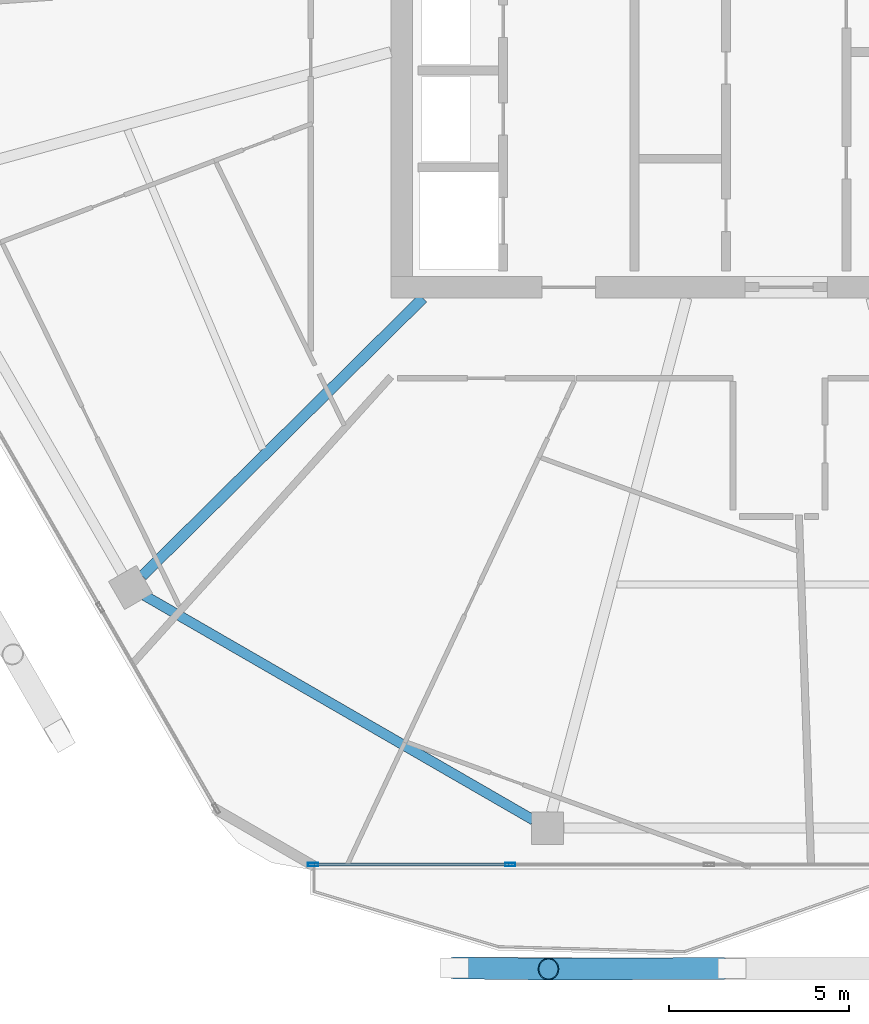
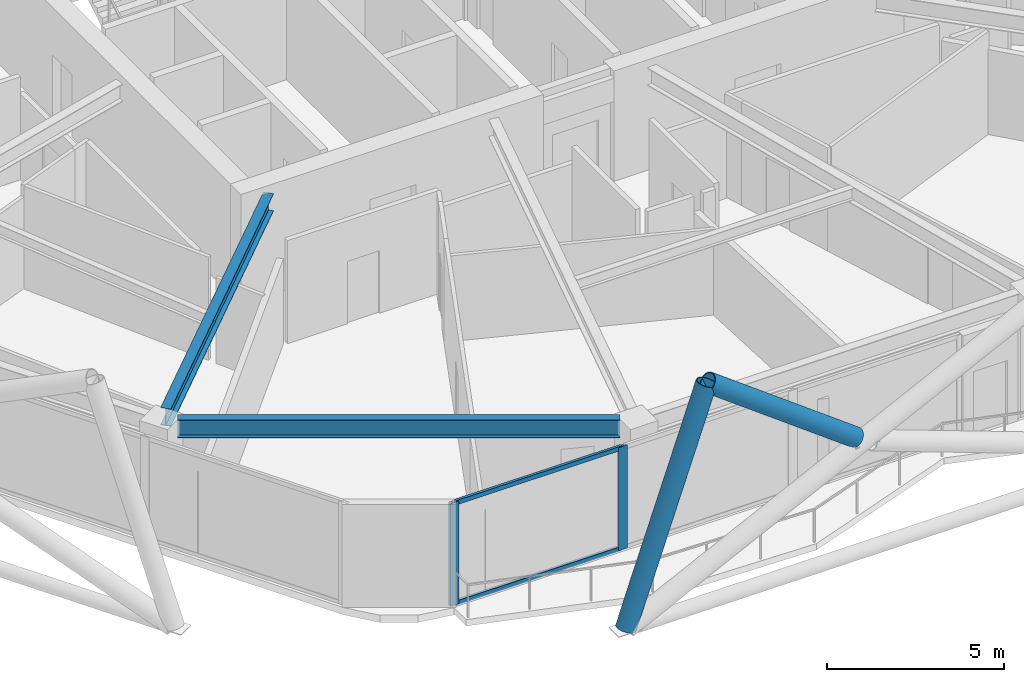
# One storey, part 3 of 26: 6 members, 2 beams, 1 element without a shape of its own.
"""IFC4 building model written with IfcOpenShell, lengths in metres."""

from ifc_helpers import new_model, si_unit, direction, frame, origin, origin_2d, place, context, subcontext, project, spatial, hollow_rectangle, hollow_circle, i_section, extrude, material, material_profile, profile_set, type_object, element, aggregate, save


model = new_model("IFC4")

# Units and contexts
model_context = context("Model", 3, precision=1e-05, world=origin(), true_north=direction((0.0, 1.0)))
body_context = subcontext(model_context, "Body", "Model", "MODEL_VIEW")
ifc_project = project(units=[si_unit("LENGTHUNIT", "METRE"), si_unit("AREAUNIT", "SQUARE_METRE"), si_unit("VOLUMEUNIT", "CUBIC_METRE"), si_unit("PLANEANGLEUNIT", "RADIAN"), si_unit("MASSUNIT", "GRAM", prefix="KILO")], contexts=[model_context])

# Site, building, storey
site_placement = place(None, origin())
site = spatial("IfcSite", under=ifc_project, at=site_placement, CompositionType="ELEMENT")
building_placement = place(site_placement, origin())
building = spatial("IfcBuilding", under=site, at=building_placement, Name="Zuhravey Tower", CompositionType="ELEMENT")
storey_placement = place(building_placement, frame((0.0, 0.0, 231.199951171875)))
storey = spatial("IfcBuildingStorey", under=building, at=storey_placement, Name="L58", CompositionType="ELEMENT", Elevation=231.199951171875)

# Curtain wall, members
ifc_material_1 = material(Name="Thermally broken anodised aluminium", Category="aluminium")
curtain_wall_type = type_object("IfcCurtainWallType", Name="Zone 3-4 High-Rise Curtain Wall CW4", PredefinedType="NOTDEFINED", material=ifc_material_1)
curtain_wall_placement = place(storey_placement, origin())
curtain_wall = element("IfcCurtainWall", 1, at=curtain_wall_placement, inside=storey, type_object=curtain_wall_type, Name="L58 CW4 CW-L58-F5-2", PredefinedType="NOTDEFINED")
ifc_material_2 = material(Name="Anodised aluminium", Category="aluminium")
ifc_material_profile_1 = material_profile(ifc_material_2, hollow_rectangle(XDim=0.090087890625, YDim=0.284912109375, WallThickness=0.0048828125, at=origin_2d()), Name="ALU-RHS-90x285x5")
ifc_profile_set_1 = profile_set([ifc_material_profile_1], Name="Anodised aluminium")
member_type_1 = type_object("IfcMemberType", Name="Curtain-Wall Mullion 90x180", PredefinedType="MULLION", material=ifc_profile_set_1)
member_1_placement = place(storey_placement, frame((28.521728515625, 6.436279296875, 0.0), z_axis=(0.0, 0.0, 1.0), x_axis=(0.0, -1.0, 0.0)))
member_1 = element("IfcMember", 2, at=member_1_placement, type_object=member_type_1, Name="CW4 mullion 3", PredefinedType="MULLION", context=body_context, shape_type="SweptSolid", body=[
    extrude(hollow_rectangle(XDim=0.090087890625, YDim=0.284912109375, WallThickness=0.0048828125, at=origin_2d()), origin(), (0.0, 0.0, 1.0), 3.550048828125),
])
member_2_placement = place(storey_placement, frame((23.0322265625, 6.436279296875, 0.0), z_axis=(0.0, 0.0, 1.0), x_axis=(0.0, -1.0, 0.0)))
member_2 = element("IfcMember", 3, at=member_2_placement, type_object=member_type_1, Name="CW4 mullion 4", PredefinedType="MULLION", context=body_context, shape_type="SweptSolid", body=[
    extrude(hollow_rectangle(XDim=0.090087890625, YDim=0.284912109375, WallThickness=0.0048828125, at=origin_2d()), origin(), (0.0, 0.0, 1.0), 3.550048828125),
])
ifc_material_profile_2 = material_profile(ifc_material_2, hollow_rectangle(XDim=0.090087890625, YDim=0.14990234375, WallThickness=0.0048828125, at=origin_2d()), Name="ALU-RHS-90x150x5")
ifc_profile_set_2 = profile_set([ifc_material_profile_2], Name="Anodised aluminium")
member_type_2 = type_object("IfcMemberType", Name="Curtain-Wall Transom 90x150", PredefinedType="USERDEFINED", material=ifc_profile_set_2)
member_3_placement = place(storey_placement, frame((28.476806640625, 6.436279296875, 0.045166015625), z_axis=(-1.0, 0.0, 0.0), x_axis=(0.0, -1.0, 0.0)))
member_3 = element("IfcMember", 4, at=member_3_placement, type_object=member_type_2, Name="CW4 transom 3.1", ObjectType="TRANSOM", PredefinedType="USERDEFINED", context=body_context, shape_type="SweptSolid", body=[
    extrude(hollow_rectangle(XDim=0.090087890625, YDim=0.14990234375, WallThickness=0.0048828125, at=origin_2d()), origin(), (0.0, 0.0, 1.0), 5.3994140625),
])
member_4_placement = place(storey_placement, frame((28.476806640625, 6.436279296875, 3.505126953125), z_axis=(-1.0, 0.0, 0.0), x_axis=(0.0, -1.0, 0.0)))
member_4 = element("IfcMember", 5, at=member_4_placement, type_object=member_type_2, Name="CW4 transom 3.2", ObjectType="TRANSOM", PredefinedType="USERDEFINED", context=body_context, shape_type="SweptSolid", body=[
    extrude(hollow_rectangle(XDim=0.090087890625, YDim=0.14990234375, WallThickness=0.0048828125, at=origin_2d()), origin(), (0.0, 0.0, 1.0), 5.3994140625),
])
aggregate(curtain_wall, [member_1, member_2, member_3, member_4])

# Members
ifc_material_3 = material(Name="Steel SM355", Category="steel")
ifc_material_profile_3 = material_profile(ifc_material_3, hollow_circle(Radius=0.3046875, WallThickness=0.028076171875, at=origin_2d()), Name="CHS-609.6x28")
ifc_profile_set_3 = profile_set([ifc_material_profile_3], Name="Steel SM355")
member_type_3 = type_object("IfcMemberType", Name="Exoskeleton Zone 3 Diagrid CHS610x28", PredefinedType="BRACE", material=ifc_profile_set_3)
member_5_placement = place(storey_placement, frame((26.977294921875, 3.556396484375, -0.446044921875), z_axis=(0.326048567383, -0.003752945329, 0.945345570206), x_axis=(0.011509624999, 0.999933762072, 0.0)))
element("IfcMember", 6, at=member_5_placement, inside=storey, type_object=member_type_3, Name="L58 Face 5 Diagrid Brace 1", PredefinedType="BRACE", context=body_context, shape_type="SweptSolid", body=[
    extrude(hollow_circle(Radius=0.3046875, WallThickness=0.028076171875, at=origin_2d()), origin(), (0.0, 0.0, 1.0), 8.00146484375),
])
member_6_placement = place(storey_placement, frame((34.452880859375, 3.540771484375, 3.512451171875), z_axis=(-0.801731284335, -0.002351474816, 0.597680030021), x_axis=(0.002932983592, -0.999995698794, 0.0)))
element("IfcMember", 7, at=member_6_placement, inside=storey, type_object=member_type_3, Name="L58 Face 5 Split Diagrid Brace 3B", PredefinedType="BRACE", context=body_context, shape_type="SweptSolid", body=[
    extrude(hollow_circle(Radius=0.3046875, WallThickness=0.028076171875, at=origin_2d()), origin(), (0.0, 0.0, 1.0), 6.021728515625),
])

# Beams
ifc_material_profile_4 = material_profile(ifc_material_3, i_section(OverallWidth=0.280029296875, OverallDepth=0.6201171875, WebThickness=0.011962890625, FlangeThickness=0.02001953125, at=origin_2d()), Name="H-620x280x12x20")
ifc_profile_set_4 = profile_set([ifc_material_profile_4], Name="Steel SM355")
beam_type_1 = type_object("IfcBeamType", Name="Perimeter Ring Beam H620x280", PredefinedType="BEAM", material=ifc_profile_set_4)
beam_1_placement = place(storey_placement, frame((18.3486328125, 13.918701171875, 3.239990234375), z_axis=(0.866025131093, -0.500000472315, 0.0), x_axis=(0.500000472315, 0.866025131093, 0.0)))
element("IfcBeam", 8, at=beam_1_placement, inside=storey, type_object=beam_type_1, Name="L58 PB3 BM-L58-PB-08", PredefinedType="BEAM", context=body_context, shape_type="SweptSolid", body=[
    extrude(i_section(OverallWidth=0.280029296875, OverallDepth=0.6201171875, WebThickness=0.011962890625, FlangeThickness=0.02001953125, at=origin_2d()), origin(), (0.0, 0.0, 1.0), 12.49169921875),
])
ifc_material_profile_5 = material_profile(ifc_material_3, i_section(OverallWidth=0.300048828125, OverallDepth=0.60009765625, WebThickness=0.011962890625, FlangeThickness=0.02001953125, at=origin_2d()), Name="H-600x300x12x20")
ifc_profile_set_5 = profile_set([ifc_material_profile_5], Name="Steel SM355")
beam_type_2 = type_object("IfcBeamType", Name="Radial Primary Girder H600x300", PredefinedType="BEAM", material=ifc_profile_set_5)
beam_2_placement = place(storey_placement, frame((26.09326171875, 22.197021484375, 3.25), z_axis=(-0.710816516282, -0.703377480576, 0.0), x_axis=(0.703377480576, -0.710816516282, 0.0)))
element("IfcBeam", 9, at=beam_2_placement, inside=storey, type_object=beam_type_2, Name="L58 RG3 BM-L58-RAD-08", PredefinedType="BEAM", context=body_context, shape_type="SweptSolid", body=[
    extrude(i_section(OverallWidth=0.300048828125, OverallDepth=0.60009765625, WebThickness=0.011962890625, FlangeThickness=0.02001953125, at=origin_2d()), origin(), (0.0, 0.0, 1.0), 10.994384765625),
])

save(model, "model.ifc")
